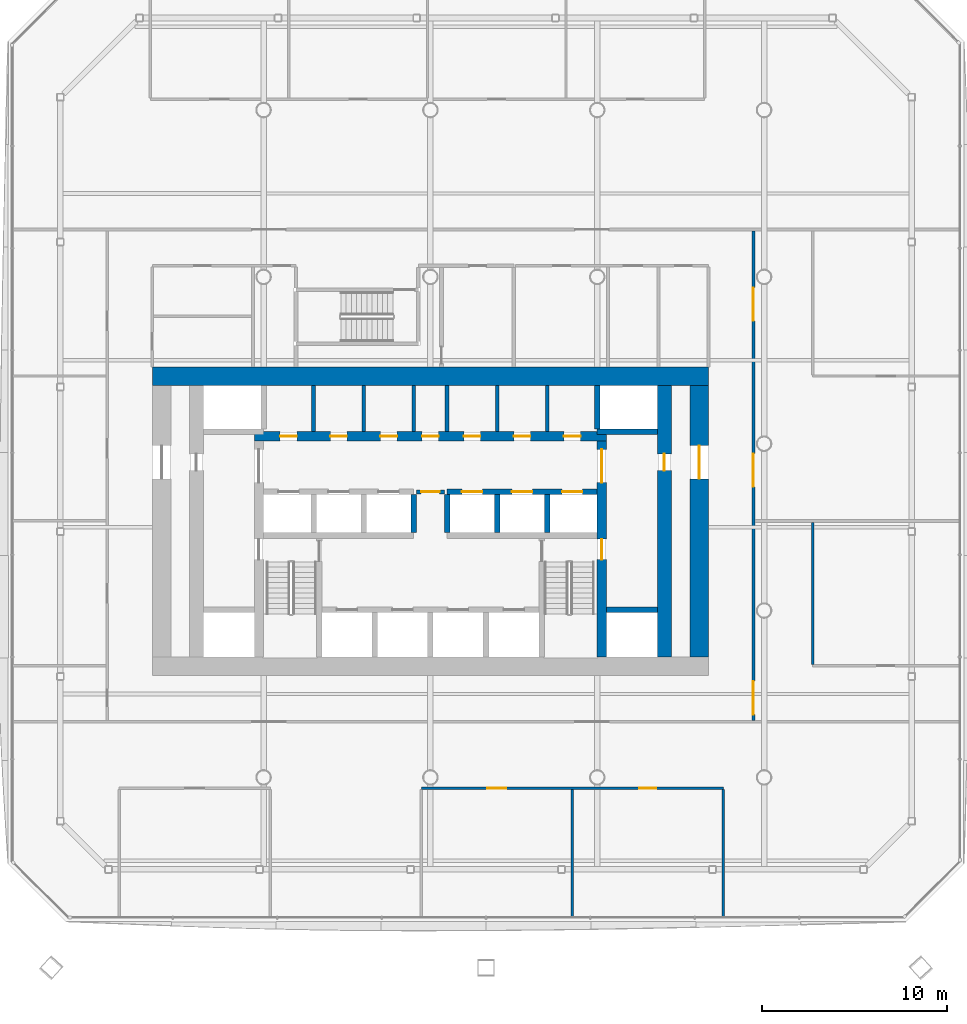
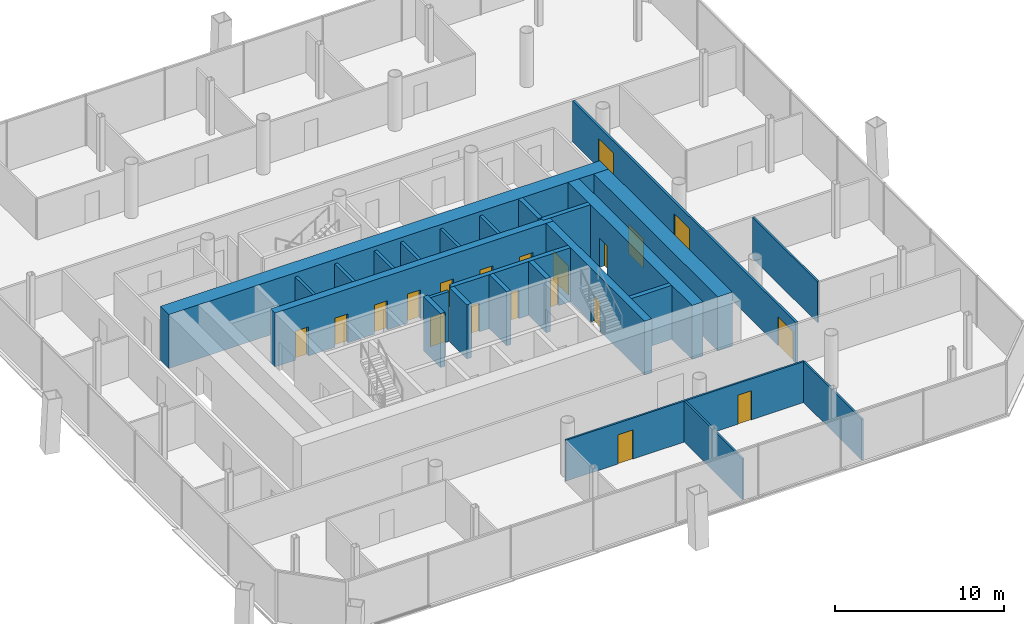
# One storey, part 13 of 20: 25 walls, 20 doors, 20 openings.
"""IFC4 building model written with IfcOpenShell, lengths in metres."""

import ifcopenshell
import ifcopenshell.guid

model = None  # the IFC model being written
_history = None  # IfcOwnerHistory: only IFC2X3 demands one
_inside = {}  # id of a spatial element -> (the spatial element, [elements in it])
_under = {}  # id of a project, library or spatial element -> (it, [spatial elements below it])
_declared = {}  # id of a project -> (the project, [libraries it declares])
_typed = {}  # id of a type object -> (the type object, [elements of that type])
_made_of = {}  # id of a material, layer set ... -> (it, [elements and type objects made of it])


def new_model(schema):
    """Start an empty IFC model of exactly this schema.

    Asked for "IFC4X3", IfcOpenShell would pick the latest addendum, in which some entities
    have other attributes; the version numbers below select the first issue.
    IFC2X3 requires an IfcOwnerHistory on every rooted entity: one is made here for all.
    """
    global model, _history
    if schema == "IFC4X3":
        model = ifcopenshell.file(schema_version=(4, 3, 0, 0))
    else:
        model = ifcopenshell.file(schema=schema)
    _inside.clear()
    _under.clear()
    _declared.clear()
    _typed.clear()
    _made_of.clear()
    _history = None
    if model.schema == "IFC2X3":
        org = make("IfcOrganization", Name="unknown")
        user = make(
            "IfcPersonAndOrganization",
            ThePerson=make("IfcPerson", FamilyName="unknown"),
            TheOrganization=org,
        )
        app = make(
            "IfcApplication",
            ApplicationDeveloper=org,
            Version="unknown",
            ApplicationFullName="unknown",
            ApplicationIdentifier="unknown",
        )
        _history = make(
            "IfcOwnerHistory",
            OwningUser=user,
            OwningApplication=app,
            ChangeAction="ADDED",
            CreationDate=0,
        )
    return model


def make(cls, **values):
    """One entity of the class cls with the attributes given. An attribute that is None is left unset."""
    return model.create_entity(
        cls, **{name: value for name, value in values.items() if value is not None}
    )


def rooted(cls, **values):
    """An entity with a GlobalId (a new one), such as an element, a storey or a relation."""
    return make(cls, GlobalId=ifcopenshell.guid.new(), OwnerHistory=_history, **values)


def si_unit(unit_type, name, prefix=None):
    """IfcSIUnit, for example si_unit("LENGTHUNIT", "METRE", prefix="MILLI")."""
    return make("IfcSIUnit", UnitType=unit_type, Prefix=prefix, Name=name)


def assignment(units):
    """IfcUnitAssignment: the units of a project."""
    return None if units is None else make("IfcUnitAssignment", Units=units)


def point(xyz):
    """IfcCartesianPoint."""
    return None if xyz is None else make("IfcCartesianPoint", Coordinates=xyz)


def direction(xyz):
    """IfcDirection."""
    return None if xyz is None else make("IfcDirection", DirectionRatios=xyz)


def frame(location, z_axis=None, x_axis=None):
    """IfcAxis2Placement3D, a coordinate frame: its origin and axes. An axis left out is left unset."""
    return make(
        "IfcAxis2Placement3D",
        Location=point(location),
        Axis=direction(z_axis),
        RefDirection=direction(x_axis),
    )


def frame_2d(location, x_axis=None):
    """IfcAxis2Placement2D, a coordinate frame in the plane: its origin and x axis."""
    return make(
        "IfcAxis2Placement2D", Location=point(location), RefDirection=direction(x_axis)
    )


def origin():
    """The frame at (0, 0, 0) with its axes left unset."""
    return frame((0.0, 0.0, 0.0))


def place(relative_to, where):
    """IfcLocalPlacement: puts the frame where relative to a parent placement (None: the world)."""
    return make(
        "IfcLocalPlacement", PlacementRelTo=relative_to, RelativePlacement=where
    )


def context(
    kind, dimensions, precision=None, world=None, true_north=None, identifier=None
):
    """IfcGeometricRepresentationContext, for example the 3D "Model" context."""
    return make(
        "IfcGeometricRepresentationContext",
        ContextIdentifier=identifier,
        ContextType=kind,
        CoordinateSpaceDimension=dimensions,
        Precision=precision,
        WorldCoordinateSystem=world,
        TrueNorth=true_north,
    )


def subcontext(parent, identifier, kind, view, scale=None):
    """IfcGeometricRepresentationSubContext, for example "Body" below "Model"."""
    return make(
        "IfcGeometricRepresentationSubContext",
        ContextIdentifier=identifier,
        ContextType=kind,
        ParentContext=parent,
        TargetScale=scale,
        TargetView=view,
    )


def project(units=None, contexts=None):
    """IfcProject with its units and contexts."""
    return rooted(
        "IfcProject",
        Name="project",
        RepresentationContexts=contexts,
        UnitsInContext=assignment(units),
    )


def spatial(cls, under=None, at=None, **own):
    """A site, building, storey or space (cls), placed at a placement, below another one or the project."""
    s = rooted(cls, ObjectPlacement=at, **own)
    if under is not None:
        _under.setdefault(under.id(), (under, []))[1].append(s)
    return s


def profile(cls, at=None, kind="AREA", **sizes):
    """A parametric profile (cls). Its sizes go by their IFC names, for example OverallWidth=200.0."""
    return make(cls, ProfileType=kind, Position=at, **sizes)


def rectangle(**sizes):
    """IfcRectangleProfileDef."""
    return profile("IfcRectangleProfileDef", **sizes)


def extrude(swept, where, along, depth):
    """IfcExtrudedAreaSolid: the profile swept, set in the frame where, extruded along a direction by depth."""
    return make(
        "IfcExtrudedAreaSolid",
        SweptArea=swept,
        Position=where,
        ExtrudedDirection=direction(along),
        Depth=depth,
    )


def shape(context_of_items, identifier, shape_type, items):
    """IfcShapeRepresentation: the items that make up one representation, for example the "Body"."""
    return make(
        "IfcShapeRepresentation",
        ContextOfItems=context_of_items,
        RepresentationIdentifier=identifier,
        RepresentationType=shape_type,
        Items=items,
    )


def material(Name=None, Category=None):
    """IfcMaterial."""
    return make("IfcMaterial", Name=Name, Category=Category)


def layer(
    of_material, thickness, ventilated=None, Name=None, Category=None, Priority=None
):
    """IfcMaterialLayer: one layer of a wall or slab, of a material (None: an air gap)."""
    return make(
        "IfcMaterialLayer",
        Material=of_material,
        LayerThickness=thickness,
        IsVentilated=ventilated,
        Name=Name,
        Category=Category,
        Priority=Priority,
    )


def layer_set(layers, Name=None):
    """IfcMaterialLayerSet."""
    return make("IfcMaterialLayerSet", MaterialLayers=layers, LayerSetName=Name)


def made_of(thing, what):
    """Note that an element or type object is made of a material, layer set ...; save() writes the relation."""
    if what is not None:
        _made_of.setdefault(what.id(), (what, []))[1].append(thing)
    return thing


def type_object(cls, material=None, **own):
    """A type object (cls), such as IfcWallType, which elements share."""
    return made_of(rooted(cls, **own), material)


def element(
    cls,
    number,
    at=None,
    inside=None,
    cuts=None,
    type_object=None,
    material=None,
    context=None,
    identifier="Body",
    shape_type=None,
    held_by="IfcProductDefinitionShape",
    body=None,
    shapes=None,
    **own,
):
    """One element of the class cls, such as IfcWall. Its Tag is "e" and its number.

    at: its placement. inside: the storey or other place that contains it. cuts: it is an
    opening in that element (IfcRelVoidsElement). A single representation is given by context,
    identifier, shape_type and body (its items); several are given by shapes. held_by: the class
    of the entity that holds the representations. save() writes the other relations.
    """
    e = rooted(cls, Tag="e%d" % number, ObjectPlacement=at, **own)
    if body is not None:
        shapes = [shape(context, identifier, shape_type, body)]
    if shapes is not None:
        e.Representation = make(held_by, Representations=shapes)
    if inside is not None:
        _inside.setdefault(inside.id(), (inside, []))[1].append(e)
    if cuts is not None:
        rooted(
            "IfcRelVoidsElement", RelatingBuildingElement=cuts, RelatedOpeningElement=e
        )
    if type_object is not None:
        _typed.setdefault(type_object.id(), (type_object, []))[1].append(e)
    return made_of(e, material)


def fill(opening, filler):
    """IfcRelFillsElement: the door or window that sits in an opening."""
    return rooted(
        "IfcRelFillsElement",
        RelatingOpeningElement=opening,
        RelatedBuildingElement=filler,
    )


def aggregate(whole, parts):
    """IfcRelAggregates: a whole, such as a stair, and the parts it consists of."""
    return rooted("IfcRelAggregates", RelatingObject=whole, RelatedObjects=parts)


def save(model, path):
    """Write the relations noted so far, then the file.

    IfcRelAggregates (storeys below a building ...), IfcRelContainedInSpatialStructure (elements
    in a storey), IfcRelDefinesByType, IfcRelAssociatesMaterial and IfcRelDeclares: one each for
    every whole, place, type object, material and project.
    """
    for whole, parts in _under.values():
        aggregate(whole, parts)
    for where, things in _inside.values():
        rooted(
            "IfcRelContainedInSpatialStructure",
            RelatedElements=things,
            RelatingStructure=where,
        )
    for kind, things in _typed.values():
        rooted("IfcRelDefinesByType", RelatedObjects=things, RelatingType=kind)
    for what, things in _made_of.values():
        rooted("IfcRelAssociatesMaterial", RelatedObjects=things, RelatingMaterial=what)
    for by, libraries in _declared.values():
        rooted("IfcRelDeclares", RelatingContext=by, RelatedDefinitions=libraries)
    model.write(path)


model = new_model("IFC4")

# Units and contexts
model_context = context("Model", 3, precision=1e-05, world=origin(), true_north=direction((0.0, 1.0)))
body_context = subcontext(model_context, "Body", "Model", "MODEL_VIEW")
ifc_project = project(units=[si_unit("LENGTHUNIT", "METRE"), si_unit("AREAUNIT", "SQUARE_METRE"), si_unit("VOLUMEUNIT", "CUBIC_METRE"), si_unit("PLANEANGLEUNIT", "RADIAN"), si_unit("MASSUNIT", "GRAM", prefix="KILO")], contexts=[model_context])

# Site, building, storey
site_placement = place(None, origin())
site = spatial("IfcSite", under=ifc_project, at=site_placement, CompositionType="ELEMENT")
building_placement = place(site_placement, origin())
building = spatial("IfcBuilding", under=site, at=building_placement, Name="Tskaro Facet Tower", CompositionType="ELEMENT")
storey_placement = place(building_placement, frame((0.0, 0.0, 69.89990234375)))
storey = spatial("IfcBuildingStorey", under=building, at=storey_placement, Name="L16", CompositionType="ELEMENT", Elevation=69.89990234375)

# Wall
ifc_material_1 = material(Name="Concrete C60/75", Category="concrete")
ifc_layer_1 = layer(ifc_material_1, 0.300048828125, Name="Concrete C60/75")
ifc_layer_set_1 = layer_set([ifc_layer_1], Name="Concrete C60/75")
wall_type_1 = type_object("IfcWallType", Name="CORE-SHAFT", PredefinedType="SHEAR", material=ifc_layer_set_1)
wall_1_placement = place(storey_placement, frame((9.5, -8.949951171875, 0.0), z_axis=(0.0, 0.0, 1.0), x_axis=(1.0, 0.0, 0.0)))
element("IfcWall", 1, at=wall_1_placement, inside=storey, type_object=wall_type_1, Name="Shaft wall W008", PredefinedType="SHEAR", context=body_context, shape_type="SweptSolid", body=[
    extrude(rectangle(XDim=2.75, YDim=0.300048828125, at=frame_2d((1.375, 0.0))), origin(), (0.0, 0.0, 1.0), 3.900146484375),
])

# Wall, openings, doors
wall_2_placement = place(storey_placement, frame((0.89990234375, -2.60009765625, 0.0), z_axis=(0.0, 0.0, 1.0), x_axis=(1.0, 0.0, 0.0)))
wall_2 = element("IfcWall", 2, at=wall_2_placement, inside=storey, type_object=wall_type_1, Name="Shaft wall W015", PredefinedType="SHEAR", context=body_context, shape_type="SweptSolid", body=[
    extrude(rectangle(XDim=8.10009765625, YDim=0.300048828125, at=frame_2d((4.050048828125, 0.0))), origin(), (0.0, 0.0, 1.0), 3.900146484375),
])
opening_1_placement = place(wall_2_placement, frame((0.800048828125, 0.0, 0.0)))
opening_1 = element("IfcOpeningElement", 3, at=opening_1_placement, cuts=wall_2, Name="Opening LD-LR4", PredefinedType="OPENING", context=body_context, shape_type="SweptSolid", body=[
    extrude(rectangle(XDim=1.10009765625, YDim=2.10009765625, at=frame_2d((0.550048828125, 1.050048828125))), frame((0.0, 0.159912109375, 0.0), z_axis=(0.0, -1.0, 0.0), x_axis=(1.0, 0.0, 0.0)), (0.0, 0.0, 1.0), 0.320068359375),
])
opening_2_placement = place(wall_2_placement, frame((3.5, 0.0, 0.0)))
opening_2 = element("IfcOpeningElement", 4, at=opening_2_placement, cuts=wall_2, Name="Opening LD-LR5", PredefinedType="OPENING", context=body_context, shape_type="SweptSolid", body=[
    extrude(rectangle(XDim=1.10009765625, YDim=2.10009765625, at=frame_2d((0.550048828125, 1.050048828125))), frame((0.0, 0.159912109375, 0.0), z_axis=(0.0, -1.0, 0.0), x_axis=(1.0, 0.0, 0.0)), (0.0, 0.0, 1.0), 0.320068359375),
])
opening_3_placement = place(wall_2_placement, frame((6.199951171875, 0.0, 0.0)))
opening_3 = element("IfcOpeningElement", 5, at=opening_3_placement, cuts=wall_2, Name="Opening LD-LR6", PredefinedType="OPENING", context=body_context, shape_type="SweptSolid", body=[
    extrude(rectangle(XDim=1.10009765625, YDim=2.10009765625, at=frame_2d((0.550048828125, 1.050048828125))), frame((0.0, 0.159912109375, 0.0), z_axis=(0.0, -1.0, 0.0), x_axis=(1.0, 0.0, 0.0)), (0.0, 0.0, 1.0), 0.320068359375),
])
ifc_material_2 = material(Name="Stainless steel", Category="steel")
door_type_1 = type_object("IfcDoorType", Name="D-LANDING", OperationType="NOTDEFINED", PredefinedType="DOOR", material=ifc_material_2)
door_1_placement = place(opening_1_placement, origin())
door_1 = element("IfcDoor", 6, at=door_1_placement, inside=storey, type_object=door_type_1, Name="Landing door LR4", OperationType="DOUBLE_DOOR_SLIDING", OverallHeight=2.10009765625, OverallWidth=1.10009765625, PredefinedType="DOOR", context=body_context, shape_type="SweptSolid", body=[
    extrude(rectangle(XDim=1.10009765625, YDim=2.10009765625, at=frame_2d((0.550048828125, 1.050048828125))), frame((0.0, 0.02490234375, 0.0), z_axis=(0.0, -1.0, 0.0), x_axis=(1.0, 0.0, 0.0)), (0.0, 0.0, 1.0), 0.050048828125),
])
fill(opening_1, door_1)
door_2_placement = place(opening_2_placement, origin())
door_2 = element("IfcDoor", 7, at=door_2_placement, inside=storey, type_object=door_type_1, Name="Landing door LR5", OperationType="DOUBLE_DOOR_SLIDING", OverallHeight=2.10009765625, OverallWidth=1.10009765625, PredefinedType="DOOR", context=body_context, shape_type="SweptSolid", body=[
    extrude(rectangle(XDim=1.10009765625, YDim=2.10009765625, at=frame_2d((0.550048828125, 1.050048828125))), frame((0.0, 0.02490234375, 0.0), z_axis=(0.0, -1.0, 0.0), x_axis=(1.0, 0.0, 0.0)), (0.0, 0.0, 1.0), 0.050048828125),
])
fill(opening_2, door_2)
door_3_placement = place(opening_3_placement, origin())
door_3 = element("IfcDoor", 8, at=door_3_placement, inside=storey, type_object=door_type_1, Name="Landing door LR6", OperationType="DOUBLE_DOOR_SLIDING", OverallHeight=2.10009765625, OverallWidth=1.10009765625, PredefinedType="DOOR", context=body_context, shape_type="SweptSolid", body=[
    extrude(rectangle(XDim=1.10009765625, YDim=2.10009765625, at=frame_2d((0.550048828125, 1.050048828125))), frame((0.0, 0.02490234375, 0.0), z_axis=(0.0, -1.0, 0.0), x_axis=(1.0, 0.0, 0.0)), (0.0, 0.0, 1.0), 0.050048828125),
])
fill(opening_3, door_3)

# Walls
wall_3_placement = place(storey_placement, frame((12.25, 0.64990234375, 0.0), z_axis=(0.0, 0.0, 1.0), x_axis=(-1.0, 0.0, 0.0)))
element("IfcWall", 9, at=wall_3_placement, inside=storey, type_object=wall_type_1, Name="Shaft wall W017", PredefinedType="SHEAR", context=body_context, shape_type="SweptSolid", body=[
    extrude(rectangle(XDim=3.25, YDim=0.300048828125, at=frame_2d((1.625, 0.0))), origin(), (0.0, 0.0, 1.0), 3.900146484375),
])
for number, where, z_axis, x_axis, name in (
    (10, (-0.89990234375, -4.800048828125, 0.0), (0.0, 0.0, 1.0), (0.0, 1.0, 0.0), "Shaft wall W045"),
    (11, (0.89990234375, -4.800048828125, 0.0), (0.0, 0.0, 1.0), (0.0, 1.0, 0.0), "Shaft wall W053"),
    (12, (3.60009765625, -4.800048828125, 0.0), (0.0, 0.0, 1.0), (0.0, 1.0, 0.0), "Shaft wall W056"),
    (13, (6.300048828125, -4.800048828125, 0.0), (0.0, 0.0, 1.0), (0.0, 1.0, 0.0), "Shaft wall W060"),
):
    element("IfcWall", number, at=place(storey_placement, frame(where, z_axis=z_axis, x_axis=x_axis)), inside=storey, type_object=wall_type_1, Name=name, PredefinedType="SHEAR", context=body_context, shape_type="SweptSolid", body=[
        extrude(rectangle(XDim=2.050048828125, YDim=0.300048828125, at=frame_2d((1.02490234375, 0.0))), origin(), (0.0, 0.0, 1.0), 3.900146484375),
    ])
wall_4_placement = place(storey_placement, frame((9.0, 0.800048828125, 0.0), z_axis=(0.0, 0.0, 1.0), x_axis=(0.0, 1.0, 0.0)))
element("IfcWall", 14, at=wall_4_placement, inside=storey, type_object=wall_type_1, Name="Shaft wall W064", PredefinedType="SHEAR", context=body_context, shape_type="SweptSolid", body=[
    extrude(rectangle(XDim=2.349853515625, YDim=0.300048828125, at=frame_2d((1.1748046875, 0.0))), origin(), (0.0, 0.0, 1.0), 3.900146484375),
])

# Wall, opening, door
ifc_material_3 = material(Name="Concrete C20/25", Category="concrete")
ifc_layer_2 = layer(ifc_material_3, 0.199951171875, Name="Concrete C20/25")
ifc_layer_set_2 = layer_set([ifc_layer_2], Name="Concrete C20/25")
wall_type_2 = type_object("IfcWallType", Name="CORE-WALL", PredefinedType="SOLIDWALL", material=ifc_layer_set_2)
wall_5_placement = place(storey_placement, frame((0.75, -2.60009765625, 0.0), z_axis=(0.0, 0.0, 1.0), x_axis=(-1.0, 0.0, 0.0)))
wall_5 = element("IfcWall", 15, at=wall_5_placement, inside=storey, type_object=wall_type_2, Name="Core room wall W014", PredefinedType="SOLIDWALL", context=body_context, shape_type="SweptSolid", body=[
    extrude(rectangle(XDim=1.5, YDim=0.199951171875, at=frame_2d((0.75, 0.0))), origin(), (0.0, 0.0, 1.0), 3.60009765625),
])
opening_4_placement = place(wall_5_placement, frame((0.25, 0.0, 0.0)))
opening_4 = element("IfcOpeningElement", 16, at=opening_4_placement, cuts=wall_5, Name="Opening FL-D1", PredefinedType="OPENING", context=body_context, shape_type="SweptSolid", body=[
    extrude(rectangle(XDim=1.0, YDim=2.10009765625, at=frame_2d((0.5, 1.050048828125))), frame((0.0, 0.10986328125, 0.0), z_axis=(0.0, -1.0, 0.0), x_axis=(1.0, 0.0, 0.0)), (0.0, 0.0, 1.0), 0.219970703125),
])
ifc_material_4 = material(Name="Steel", Category="steel")
door_type_2 = type_object("IfcDoorType", Name="D-LOBBY", OperationType="NOTDEFINED", PredefinedType="DOOR", material=ifc_material_4)
door_4_placement = place(opening_4_placement, origin())
door_4 = element("IfcDoor", 17, at=door_4_placement, inside=storey, type_object=door_type_2, Name="Lobby door FL", OperationType="SINGLE_SWING_RIGHT", OverallHeight=2.10009765625, OverallWidth=1.0, PredefinedType="DOOR", context=body_context, shape_type="SweptSolid", body=[
    extrude(rectangle(XDim=1.0, YDim=2.10009765625, at=frame_2d((0.5, 1.050048828125))), frame((0.0, 0.02490234375, 0.0), z_axis=(0.0, -1.0, 0.0), x_axis=(1.0, 0.0, 0.0)), (0.0, 0.0, 1.0), 0.050048828125),
])
fill(opening_4, door_4)

# Walls
for number, where, z_axis, x_axis, name in (
    (18, (-6.300048828125, 0.64990234375, 0.0), (0.0, 0.0, 1.0), (0.0, 1.0, 0.0), "Core room wall W040"),
    (19, (-3.60009765625, 0.64990234375, 0.0), (0.0, 0.0, 1.0), (0.0, 1.0, 0.0), "Core room wall W043"),
    (20, (-0.89990234375, 0.64990234375, 0.0), (0.0, 0.0, 1.0), (0.0, 1.0, 0.0), "Core room wall W046"),
    (21, (0.89990234375, 0.64990234375, 0.0), (0.0, 0.0, 1.0), (0.0, 1.0, 0.0), "Core room wall W054"),
    (22, (3.60009765625, 0.64990234375, 0.0), (0.0, 0.0, 1.0), (0.0, 1.0, 0.0), "Core room wall W057"),
    (23, (6.300048828125, 0.64990234375, 0.0), (0.0, 0.0, 1.0), (0.0, 1.0, 0.0), "Core room wall W061"),
):
    element("IfcWall", number, at=place(storey_placement, frame(where, z_axis=z_axis, x_axis=x_axis)), inside=storey, type_object=wall_type_2, Name=name, PredefinedType="SOLIDWALL", context=body_context, shape_type="SweptSolid", body=[
        extrude(rectangle(XDim=2.5, YDim=0.199951171875, at=frame_2d((1.25, 0.0))), origin(), (0.0, 0.0, 1.0), 3.60009765625),
    ])
ifc_layer_3 = layer(ifc_material_1, 1.0, Name="Concrete C60/75")
ifc_layer_set_3 = layer_set([ifc_layer_3], Name="Concrete C60/75")
wall_type_3 = type_object("IfcWallType", Name="Core wall 1000", PredefinedType="SHEAR", material=ifc_layer_set_3)
wall_6_placement = place(storey_placement, frame((-15.0, 3.64990234375, 0.0), z_axis=(0.0, 0.0, 1.0), x_axis=(1.0, 0.0, 0.0)))
element("IfcWall", 24, at=wall_6_placement, inside=storey, type_object=wall_type_3, Name="Core wall CW-Z1N", PredefinedType="SHEAR", context=body_context, shape_type="SweptSolid", body=[
    extrude(rectangle(XDim=30.0, YDim=1.0, at=frame_2d((15.0, 0.0))), origin(), (0.0, 0.0, 1.0), 3.900146484375),
])

# Wall, opening, door
wall_7_placement = place(storey_placement, frame((14.5, -11.5, 0.0), z_axis=(0.0, 0.0, 1.0), x_axis=(0.0, 1.0, 0.0)))
wall_7 = element("IfcWall", 25, at=wall_7_placement, inside=storey, type_object=wall_type_3, Name="Core wall CW-Z1E", PredefinedType="SHEAR", context=body_context, shape_type="SweptSolid", body=[
    extrude(rectangle(XDim=14.64990234375, YDim=1.0, at=frame_2d((7.324951171875, 0.0))), origin(), (0.0, 0.0, 1.0), 3.900146484375),
])
opening_5_placement = place(wall_7_placement, frame((9.60009765625, 0.0, 0.0)))
opening_5 = element("IfcOpeningElement", 26, at=opening_5_placement, cuts=wall_7, Name="Opening T4-D18", PredefinedType="OPENING", context=body_context, shape_type="SweptSolid", body=[
    extrude(rectangle(XDim=1.800048828125, YDim=2.10009765625, at=frame_2d((0.89990234375, 1.050048828125))), frame((0.0, 0.510009765625, 0.0), z_axis=(0.0, -1.0, 0.0), x_axis=(1.0, 0.0, 0.0)), (0.0, 0.0, 1.0), 1.02001953125),
])
door_type_3 = type_object("IfcDoorType", Name="D-CORE-PAIR", OperationType="NOTDEFINED", PredefinedType="DOOR", material=ifc_material_4)
door_5_placement = place(opening_5_placement, origin())
door_5 = element("IfcDoor", 27, at=door_5_placement, inside=storey, type_object=door_type_3, Name="Door T4-D18", OperationType="DOUBLE_DOOR_SINGLE_SWING", OverallHeight=2.10009765625, OverallWidth=1.800048828125, PredefinedType="DOOR", context=body_context, shape_type="SweptSolid", body=[
    extrude(rectangle(XDim=1.800048828125, YDim=2.10009765625, at=frame_2d((0.89990234375, 1.050048828125))), frame((0.0, 0.02490234375, 0.0), z_axis=(0.0, -1.0, 0.0), x_axis=(1.0, 0.0, 0.0)), (0.0, 0.0, 1.0), 0.050048828125),
])
fill(opening_5, door_5)

# Wall, openings, doors
ifc_material_5 = material(Name="Concrete C40/50", Category="concrete")
ifc_layer_4 = layer(ifc_material_5, 0.5, Name="Concrete C40/50")
ifc_layer_set_4 = layer_set([ifc_layer_4], Name="Concrete C40/50")
wall_type_4 = type_object("IfcWallType", Name="Core wall 500", PredefinedType="SHEAR", material=ifc_layer_set_4)
wall_8_placement = place(storey_placement, frame((-9.5, 0.39990234375, 0.0), z_axis=(0.0, 0.0, 1.0), x_axis=(1.0, 0.0, 0.0)))
wall_8 = element("IfcWall", 28, at=wall_8_placement, inside=storey, type_object=wall_type_4, Name="Core wall CW-Z3N", PredefinedType="SHEAR", context=body_context, shape_type="SweptSolid", body=[
    extrude(rectangle(XDim=19.0, YDim=0.5, at=frame_2d((9.5, 0.0))), origin(), (0.0, 0.0, 1.0), 3.900146484375),
])
opening_6_placement = place(wall_8_placement, frame((1.39990234375, 0.0, 0.0)))
opening_6 = element("IfcOpeningElement", 29, at=opening_6_placement, cuts=wall_8, Name="Opening T4-D20", PredefinedType="OPENING", context=body_context, shape_type="SweptSolid", body=[
    extrude(rectangle(XDim=0.89990234375, YDim=2.10009765625, at=frame_2d((0.449951171875, 1.050048828125))), frame((0.0, 0.260009765625, 0.0), z_axis=(0.0, -1.0, 0.0), x_axis=(1.0, 0.0, 0.0)), (0.0, 0.0, 1.0), 0.52001953125),
])
opening_7_placement = place(wall_8_placement, frame((4.10009765625, 0.0, 0.0)))
opening_7 = element("IfcOpeningElement", 30, at=opening_7_placement, cuts=wall_8, Name="Opening T4-D21", PredefinedType="OPENING", context=body_context, shape_type="SweptSolid", body=[
    extrude(rectangle(XDim=0.89990234375, YDim=2.10009765625, at=frame_2d((0.449951171875, 1.050048828125))), frame((0.0, 0.260009765625, 0.0), z_axis=(0.0, -1.0, 0.0), x_axis=(1.0, 0.0, 0.0)), (0.0, 0.0, 1.0), 0.52001953125),
])
opening_8_placement = place(wall_8_placement, frame((6.800048828125, 0.0, 0.0)))
opening_8 = element("IfcOpeningElement", 31, at=opening_8_placement, cuts=wall_8, Name="Opening T4-D22", PredefinedType="OPENING", context=body_context, shape_type="SweptSolid", body=[
    extrude(rectangle(XDim=0.89990234375, YDim=2.10009765625, at=frame_2d((0.449951171875, 1.050048828125))), frame((0.0, 0.260009765625, 0.0), z_axis=(0.0, -1.0, 0.0), x_axis=(1.0, 0.0, 0.0)), (0.0, 0.0, 1.0), 0.52001953125),
])
opening_9_placement = place(wall_8_placement, frame((11.300048828125, 0.0, 0.0)))
opening_9 = element("IfcOpeningElement", 32, at=opening_9_placement, cuts=wall_8, Name="Opening T4-D24", PredefinedType="OPENING", context=body_context, shape_type="SweptSolid", body=[
    extrude(rectangle(XDim=0.89990234375, YDim=2.10009765625, at=frame_2d((0.449951171875, 1.050048828125))), frame((0.0, 0.260009765625, 0.0), z_axis=(0.0, -1.0, 0.0), x_axis=(1.0, 0.0, 0.0)), (0.0, 0.0, 1.0), 0.52001953125),
])
opening_10_placement = place(wall_8_placement, frame((14.0, 0.0, 0.0)))
opening_10 = element("IfcOpeningElement", 33, at=opening_10_placement, cuts=wall_8, Name="Opening T4-D25", PredefinedType="OPENING", context=body_context, shape_type="SweptSolid", body=[
    extrude(rectangle(XDim=0.89990234375, YDim=2.10009765625, at=frame_2d((0.449951171875, 1.050048828125))), frame((0.0, 0.260009765625, 0.0), z_axis=(0.0, -1.0, 0.0), x_axis=(1.0, 0.0, 0.0)), (0.0, 0.0, 1.0), 0.52001953125),
])
opening_11_placement = place(wall_8_placement, frame((16.699951171875, 0.0, 0.0)))
opening_11 = element("IfcOpeningElement", 34, at=opening_11_placement, cuts=wall_8, Name="Opening T4-D26", PredefinedType="OPENING", context=body_context, shape_type="SweptSolid", body=[
    extrude(rectangle(XDim=0.89990234375, YDim=2.10009765625, at=frame_2d((0.449951171875, 1.050048828125))), frame((0.0, 0.260009765625, 0.0), z_axis=(0.0, -1.0, 0.0), x_axis=(1.0, 0.0, 0.0)), (0.0, 0.0, 1.0), 0.52001953125),
])
opening_12_placement = place(wall_8_placement, frame((9.050048828125, 0.0, 0.0)))
opening_12 = element("IfcOpeningElement", 35, at=opening_12_placement, cuts=wall_8, Name="Opening T4-D23", PredefinedType="OPENING", context=body_context, shape_type="SweptSolid", body=[
    extrude(rectangle(XDim=0.89990234375, YDim=2.10009765625, at=frame_2d((0.449951171875, 1.050048828125))), frame((0.0, 0.260009765625, 0.0), z_axis=(0.0, -1.0, 0.0), x_axis=(1.0, 0.0, 0.0)), (0.0, 0.0, 1.0), 0.52001953125),
])
door_type_4 = type_object("IfcDoorType", Name="D-RISER", OperationType="NOTDEFINED", PredefinedType="DOOR", material=ifc_material_4)
door_6_placement = place(opening_12_placement, origin())
door_6 = element("IfcDoor", 36, at=door_6_placement, inside=storey, type_object=door_type_4, Name="Door T4-D23", OperationType="SINGLE_SWING_LEFT", OverallHeight=2.10009765625, OverallWidth=0.89990234375, PredefinedType="DOOR", context=body_context, shape_type="SweptSolid", body=[
    extrude(rectangle(XDim=0.89990234375, YDim=2.10009765625, at=frame_2d((0.449951171875, 1.050048828125))), frame((0.0, 0.02490234375, 0.0), z_axis=(0.0, -1.0, 0.0), x_axis=(1.0, 0.0, 0.0)), (0.0, 0.0, 1.0), 0.050048828125),
])
fill(opening_12, door_6)
ifc_material_6 = material(Name="Timber", Category="wood")
door_type_5 = type_object("IfcDoorType", Name="D-ROOM", OperationType="NOTDEFINED", PredefinedType="DOOR", material=ifc_material_6)
door_7_placement = place(opening_6_placement, origin())
door_7 = element("IfcDoor", 37, at=door_7_placement, inside=storey, type_object=door_type_5, Name="Door T4-D20", OperationType="SINGLE_SWING_LEFT", OverallHeight=2.10009765625, OverallWidth=0.89990234375, PredefinedType="DOOR", context=body_context, shape_type="SweptSolid", body=[
    extrude(rectangle(XDim=0.89990234375, YDim=2.10009765625, at=frame_2d((0.449951171875, 1.050048828125))), frame((0.0, 0.02490234375, 0.0), z_axis=(0.0, -1.0, 0.0), x_axis=(1.0, 0.0, 0.0)), (0.0, 0.0, 1.0), 0.050048828125),
])
fill(opening_6, door_7)
door_8_placement = place(opening_7_placement, origin())
door_8 = element("IfcDoor", 38, at=door_8_placement, inside=storey, type_object=door_type_5, Name="Door T4-D21", OperationType="SINGLE_SWING_LEFT", OverallHeight=2.10009765625, OverallWidth=0.89990234375, PredefinedType="DOOR", context=body_context, shape_type="SweptSolid", body=[
    extrude(rectangle(XDim=0.89990234375, YDim=2.10009765625, at=frame_2d((0.449951171875, 1.050048828125))), frame((0.0, 0.02490234375, 0.0), z_axis=(0.0, -1.0, 0.0), x_axis=(1.0, 0.0, 0.0)), (0.0, 0.0, 1.0), 0.050048828125),
])
fill(opening_7, door_8)
door_9_placement = place(opening_8_placement, origin())
door_9 = element("IfcDoor", 39, at=door_9_placement, inside=storey, type_object=door_type_5, Name="Door T4-D22", OperationType="SINGLE_SWING_LEFT", OverallHeight=2.10009765625, OverallWidth=0.89990234375, PredefinedType="DOOR", context=body_context, shape_type="SweptSolid", body=[
    extrude(rectangle(XDim=0.89990234375, YDim=2.10009765625, at=frame_2d((0.449951171875, 1.050048828125))), frame((0.0, 0.02490234375, 0.0), z_axis=(0.0, -1.0, 0.0), x_axis=(1.0, 0.0, 0.0)), (0.0, 0.0, 1.0), 0.050048828125),
])
fill(opening_8, door_9)
door_10_placement = place(opening_9_placement, origin())
door_10 = element("IfcDoor", 40, at=door_10_placement, inside=storey, type_object=door_type_5, Name="Door T4-D24", OperationType="SINGLE_SWING_LEFT", OverallHeight=2.10009765625, OverallWidth=0.89990234375, PredefinedType="DOOR", context=body_context, shape_type="SweptSolid", body=[
    extrude(rectangle(XDim=0.89990234375, YDim=2.10009765625, at=frame_2d((0.449951171875, 1.050048828125))), frame((0.0, 0.02490234375, 0.0), z_axis=(0.0, -1.0, 0.0), x_axis=(1.0, 0.0, 0.0)), (0.0, 0.0, 1.0), 0.050048828125),
])
fill(opening_9, door_10)
door_11_placement = place(opening_10_placement, origin())
door_11 = element("IfcDoor", 41, at=door_11_placement, inside=storey, type_object=door_type_5, Name="Door T4-D25", OperationType="SINGLE_SWING_LEFT", OverallHeight=2.10009765625, OverallWidth=0.89990234375, PredefinedType="DOOR", context=body_context, shape_type="SweptSolid", body=[
    extrude(rectangle(XDim=0.89990234375, YDim=2.10009765625, at=frame_2d((0.449951171875, 1.050048828125))), frame((0.0, 0.02490234375, 0.0), z_axis=(0.0, -1.0, 0.0), x_axis=(1.0, 0.0, 0.0)), (0.0, 0.0, 1.0), 0.050048828125),
])
fill(opening_10, door_11)
door_12_placement = place(opening_11_placement, origin())
door_12 = element("IfcDoor", 42, at=door_12_placement, inside=storey, type_object=door_type_5, Name="Door T4-D26", OperationType="SINGLE_SWING_LEFT", OverallHeight=2.10009765625, OverallWidth=0.89990234375, PredefinedType="DOOR", context=body_context, shape_type="SweptSolid", body=[
    extrude(rectangle(XDim=0.89990234375, YDim=2.10009765625, at=frame_2d((0.449951171875, 1.050048828125))), frame((0.0, 0.02490234375, 0.0), z_axis=(0.0, -1.0, 0.0), x_axis=(1.0, 0.0, 0.0)), (0.0, 0.0, 1.0), 0.050048828125),
])
fill(opening_11, door_12)

wall_9_placement = place(storey_placement, frame((9.25, -11.5, 0.0), z_axis=(0.0, 0.0, 1.0), x_axis=(0.0, 1.0, 0.0)))
wall_9 = element("IfcWall", 43, at=wall_9_placement, inside=storey, type_object=wall_type_4, Name="Core wall CW-Z3E", PredefinedType="SHEAR", context=body_context, shape_type="SweptSolid", body=[
    extrude(rectangle(XDim=11.64990234375, YDim=0.5, at=frame_2d((5.824951171875, 0.0))), origin(), (0.0, 0.0, 1.0), 3.900146484375),
])
opening_13_placement = place(wall_9_placement, frame((9.39990234375, 0.0, 0.0)))
opening_13 = element("IfcOpeningElement", 44, at=opening_13_placement, cuts=wall_9, Name="Opening T4-D14", PredefinedType="OPENING", context=body_context, shape_type="SweptSolid", body=[
    extrude(rectangle(XDim=1.800048828125, YDim=2.10009765625, at=frame_2d((0.89990234375, 1.050048828125))), frame((0.0, 0.260009765625, 0.0), z_axis=(0.0, -1.0, 0.0), x_axis=(1.0, 0.0, 0.0)), (0.0, 0.0, 1.0), 0.52001953125),
])
opening_14_placement = place(wall_9_placement, frame((5.25, 0.0, 0.0)))
opening_14 = element("IfcOpeningElement", 45, at=opening_14_placement, cuts=wall_9, Name="Opening ST-2-D2", PredefinedType="OPENING", context=body_context, shape_type="SweptSolid", body=[
    extrude(rectangle(XDim=1.10009765625, YDim=2.10009765625, at=frame_2d((0.550048828125, 1.050048828125))), frame((0.0, 0.260009765625, 0.0), z_axis=(0.0, -1.0, 0.0), x_axis=(1.0, 0.0, 0.0)), (0.0, 0.0, 1.0), 0.52001953125),
])
door_13_placement = place(opening_13_placement, origin())
door_13 = element("IfcDoor", 46, at=door_13_placement, inside=storey, type_object=door_type_3, Name="Door T4-D14", OperationType="DOUBLE_DOOR_SINGLE_SWING", OverallHeight=2.10009765625, OverallWidth=1.800048828125, PredefinedType="DOOR", context=body_context, shape_type="SweptSolid", body=[
    extrude(rectangle(XDim=1.800048828125, YDim=2.10009765625, at=frame_2d((0.89990234375, 1.050048828125))), frame((0.0, 0.02490234375, 0.0), z_axis=(0.0, -1.0, 0.0), x_axis=(1.0, 0.0, 0.0)), (0.0, 0.0, 1.0), 0.050048828125),
])
fill(opening_13, door_13)
door_type_6 = type_object("IfcDoorType", Name="D-STAIR", OperationType="NOTDEFINED", PredefinedType="DOOR", material=ifc_material_4)
door_14_placement = place(opening_14_placement, origin())
door_14 = element("IfcDoor", 47, at=door_14_placement, inside=storey, type_object=door_type_6, Name="Stair door 2 east", OperationType="SINGLE_SWING_LEFT", OverallHeight=2.10009765625, OverallWidth=1.10009765625, PredefinedType="DOOR", context=body_context, shape_type="SweptSolid", body=[
    extrude(rectangle(XDim=1.10009765625, YDim=2.10009765625, at=frame_2d((0.550048828125, 1.050048828125))), frame((0.0, 0.02490234375, 0.0), z_axis=(0.0, -1.0, 0.0), x_axis=(1.0, 0.0, 0.0)), (0.0, 0.0, 1.0), 0.050048828125),
])
fill(opening_14, door_14)

# Wall, opening, door
ifc_material_7 = material(Name="Concrete C50/60", Category="concrete")
ifc_layer_5 = layer(ifc_material_7, 0.75, Name="Concrete C50/60")
ifc_layer_set_5 = layer_set([ifc_layer_5], Name="Concrete C50/60")
wall_type_5 = type_object("IfcWallType", Name="Core wall 750", PredefinedType="SHEAR", material=ifc_layer_set_5)
wall_10_placement = place(storey_placement, frame((12.625, -11.5, 0.0), z_axis=(0.0, 0.0, 1.0), x_axis=(0.0, 1.0, 0.0)))
wall_10 = element("IfcWall", 48, at=wall_10_placement, inside=storey, type_object=wall_type_5, Name="Core wall CW-Z2E", PredefinedType="SHEAR", context=body_context, shape_type="SweptSolid", body=[
    extrude(rectangle(XDim=14.64990234375, YDim=0.75, at=frame_2d((7.324951171875, 0.0))), origin(), (0.0, 0.0, 1.0), 3.900146484375),
])
opening_15_placement = place(wall_10_placement, frame((10.050048828125, 0.0, 0.0)))
opening_15 = element("IfcOpeningElement", 49, at=opening_15_placement, cuts=wall_10, Name="Opening T4-D17", PredefinedType="OPENING", context=body_context, shape_type="SweptSolid", body=[
    extrude(rectangle(XDim=0.89990234375, YDim=2.10009765625, at=frame_2d((0.449951171875, 1.050048828125))), frame((0.0, 0.385009765625, 0.0), z_axis=(0.0, -1.0, 0.0), x_axis=(1.0, 0.0, 0.0)), (0.0, 0.0, 1.0), 0.77001953125),
])
door_15_placement = place(opening_15_placement, origin())
door_15 = element("IfcDoor", 50, at=door_15_placement, inside=storey, type_object=door_type_5, Name="Door T4-D17", OperationType="SINGLE_SWING_LEFT", OverallHeight=2.10009765625, OverallWidth=0.89990234375, PredefinedType="DOOR", context=body_context, shape_type="SweptSolid", body=[
    extrude(rectangle(XDim=0.89990234375, YDim=2.10009765625, at=frame_2d((0.449951171875, 1.050048828125))), frame((0.0, 0.02490234375, 0.0), z_axis=(0.0, -1.0, 0.0), x_axis=(1.0, 0.0, 0.0)), (0.0, 0.0, 1.0), 0.050048828125),
])
fill(opening_15, door_15)

# Wall, openings, doors
ifc_material_8 = material(Name="Gypsum board on steel studs", Category="steel")
ifc_layer_6 = layer(ifc_material_8, 0.125, Name="Gypsum board on steel studs")
ifc_layer_set_6 = layer_set([ifc_layer_6], Name="Gypsum board on steel studs")
wall_type_6 = type_object("IfcWallType", Name="PART", PredefinedType="PARTITIONING", material=ifc_layer_set_6)
wall_11_placement = place(storey_placement, frame((15.798095703125, -18.580078125, 0.0), z_axis=(0.0, 0.0, 1.0), x_axis=(-1.0, 0.0, 0.0)))
wall_11 = element("IfcWall", 51, at=wall_11_placement, inside=storey, type_object=wall_type_6, Name="Partition W002", PredefinedType="PARTITIONING", context=body_context, shape_type="SweptSolid", body=[
    extrude(rectangle(XDim=16.291015625, YDim=0.125, at=frame_2d((8.1455078125, 0.0))), origin(), (0.0, 0.0, 1.0), 2.960205078125),
])
opening_16_placement = place(wall_11_placement, frame((11.718017578125, 0.0, 0.0)))
opening_16 = element("IfcOpeningElement", 52, at=opening_16_placement, cuts=wall_11, Name="Opening T4-D02", PredefinedType="OPENING", context=body_context, shape_type="SweptSolid", body=[
    extrude(rectangle(XDim=1.0, YDim=2.10009765625, at=frame_2d((0.5, 1.050048828125))), frame((0.0, 0.072509765625, 0.0), z_axis=(0.0, -1.0, 0.0), x_axis=(1.0, 0.0, 0.0)), (0.0, 0.0, 1.0), 0.14501953125),
])
opening_17_placement = place(wall_11_placement, frame((3.62255859375, 0.0, 0.0)))
opening_17 = element("IfcOpeningElement", 53, at=opening_17_placement, cuts=wall_11, Name="Opening T4-D03", PredefinedType="OPENING", context=body_context, shape_type="SweptSolid", body=[
    extrude(rectangle(XDim=0.89990234375, YDim=2.10009765625, at=frame_2d((0.449951171875, 1.050048828125))), frame((0.0, 0.072509765625, 0.0), z_axis=(0.0, -1.0, 0.0), x_axis=(1.0, 0.0, 0.0)), (0.0, 0.0, 1.0), 0.14501953125),
])
door_16_placement = place(opening_17_placement, origin())
door_16 = element("IfcDoor", 54, at=door_16_placement, inside=storey, type_object=door_type_5, Name="Door T4-D03", OperationType="SINGLE_SWING_RIGHT", OverallHeight=2.10009765625, OverallWidth=0.89990234375, PredefinedType="DOOR", context=body_context, shape_type="SweptSolid", body=[
    extrude(rectangle(XDim=0.89990234375, YDim=2.10009765625, at=frame_2d((0.449951171875, 1.050048828125))), frame((0.0, 0.02490234375, 0.0), z_axis=(0.0, -1.0, 0.0), x_axis=(1.0, 0.0, 0.0)), (0.0, 0.0, 1.0), 0.050048828125),
])
fill(opening_17, door_16)
door_type_7 = type_object("IfcDoorType", Name="D-ROOM-WIDE", OperationType="NOTDEFINED", PredefinedType="DOOR", material=ifc_material_6)
door_17_placement = place(opening_16_placement, origin())
door_17 = element("IfcDoor", 55, at=door_17_placement, inside=storey, type_object=door_type_7, Name="Door T4-D02", OperationType="SINGLE_SWING_RIGHT", OverallHeight=2.10009765625, OverallWidth=1.0, PredefinedType="DOOR", context=body_context, shape_type="SweptSolid", body=[
    extrude(rectangle(XDim=1.0, YDim=2.10009765625, at=frame_2d((0.5, 1.050048828125))), frame((0.0, 0.02490234375, 0.0), z_axis=(0.0, -1.0, 0.0), x_axis=(1.0, 0.0, 0.0)), (0.0, 0.0, 1.0), 0.050048828125),
])
fill(opening_16, door_17)

# Walls
for number, where, z_axis, x_axis, name in (
    (56, (7.653076171875, -25.509033203125, 0.0), (0.0, 0.0, 1.0), (0.0, 1.0, 0.0), "Partition W063"),
    (57, (15.798095703125, -25.509033203125, 0.0), (0.0, 0.0, 1.0), (0.0, 1.0, 0.0), "Partition W069"),
):
    element("IfcWall", number, at=place(storey_placement, frame(where, z_axis=z_axis, x_axis=x_axis)), inside=storey, type_object=wall_type_6, Name=name, PredefinedType="PARTITIONING", context=body_context, shape_type="SweptSolid", body=[
        extrude(rectangle(XDim=6.866455078125, YDim=0.125, at=frame_2d((3.43310546875, 0.0))), origin(), (0.0, 0.0, 1.0), 2.960205078125),
    ])
wall_12_placement = place(storey_placement, frame((20.625, -11.910400390625, 0.0), z_axis=(0.0, 0.0, 1.0), x_axis=(0.0, 1.0, 0.0)))
element("IfcWall", 58, at=wall_12_placement, inside=storey, type_object=wall_type_6, Name="Partition W071", PredefinedType="PARTITIONING", context=body_context, shape_type="SweptSolid", body=[
    extrude(rectangle(XDim=7.67333984375, YDim=0.125, at=frame_2d((3.836669921875, 0.0))), origin(), (0.0, 0.0, 1.0), 2.960205078125),
])

# Wall, openings, doors
ifc_layer_7 = layer(ifc_material_8, 0.14990234375, Name="Gypsum board on steel studs")
ifc_layer_set_7 = layer_set([ifc_layer_7], Name="Gypsum board on steel studs")
wall_type_7 = type_object("IfcWallType", Name="PART-CORR", PredefinedType="PARTITIONING", material=ifc_layer_set_7)
wall_13_placement = place(storey_placement, frame((17.425048828125, -14.925048828125, 0.0), z_axis=(0.0, 0.0, 1.0), x_axis=(0.0, 1.0, 0.0)))
wall_13 = element("IfcWall", 59, at=wall_13_placement, inside=storey, type_object=wall_type_7, Name="Corridor wall W070", PredefinedType="PARTITIONING", context=body_context, shape_type="SweptSolid", body=[
    extrude(rectangle(XDim=26.405029296875, YDim=0.14990234375, at=frame_2d((13.20263671875, 0.0))), origin(), (0.0, 0.0, 1.0), 2.960205078125),
])
opening_18_placement = place(wall_13_placement, frame((0.3125, 0.0, 0.0)))
opening_18 = element("IfcOpeningElement", 60, at=opening_18_placement, cuts=wall_13, Name="Opening T4-D07", PredefinedType="OPENING", context=body_context, shape_type="SweptSolid", body=[
    extrude(rectangle(XDim=1.800048828125, YDim=2.10009765625, at=frame_2d((0.89990234375, 1.050048828125))), frame((0.0, 0.0849609375, 0.0), z_axis=(0.0, -1.0, 0.0), x_axis=(1.0, 0.0, 0.0)), (0.0, 0.0, 1.0), 0.169921875),
])
opening_19_placement = place(wall_13_placement, frame((12.592041015625, 0.0, 0.0)))
opening_19 = element("IfcOpeningElement", 61, at=opening_19_placement, cuts=wall_13, Name="Opening T4-D12", PredefinedType="OPENING", context=body_context, shape_type="SweptSolid", body=[
    extrude(rectangle(XDim=1.800048828125, YDim=2.10009765625, at=frame_2d((0.89990234375, 1.050048828125))), frame((0.0, 0.0849609375, 0.0), z_axis=(0.0, -1.0, 0.0), x_axis=(1.0, 0.0, 0.0)), (0.0, 0.0, 1.0), 0.169921875),
])
opening_20_placement = place(wall_13_placement, frame((21.551025390625, 0.0, 0.0)))
opening_20 = element("IfcOpeningElement", 62, at=opening_20_placement, cuts=wall_13, Name="Opening T4-D33", PredefinedType="OPENING", context=body_context, shape_type="SweptSolid", body=[
    extrude(rectangle(XDim=1.800048828125, YDim=2.10009765625, at=frame_2d((0.89990234375, 1.050048828125))), frame((0.0, 0.0849609375, 0.0), z_axis=(0.0, -1.0, 0.0), x_axis=(1.0, 0.0, 0.0)), (0.0, 0.0, 1.0), 0.169921875),
])
ifc_material_9 = material(Name="Glass", Category="glass")
door_type_8 = type_object("IfcDoorType", Name="D-ENTRY-PAIR", OperationType="NOTDEFINED", PredefinedType="DOOR", material=ifc_material_9)
door_18_placement = place(opening_18_placement, origin())
door_18 = element("IfcDoor", 63, at=door_18_placement, inside=storey, type_object=door_type_8, Name="Door T4-D07", OperationType="DOUBLE_DOOR_SINGLE_SWING", OverallHeight=2.10009765625, OverallWidth=1.800048828125, PredefinedType="DOOR", context=body_context, shape_type="SweptSolid", body=[
    extrude(rectangle(XDim=1.800048828125, YDim=2.10009765625, at=frame_2d((0.89990234375, 1.050048828125))), frame((0.0, 0.02490234375, 0.0), z_axis=(0.0, -1.0, 0.0), x_axis=(1.0, 0.0, 0.0)), (0.0, 0.0, 1.0), 0.050048828125),
])
fill(opening_18, door_18)
door_19_placement = place(opening_19_placement, origin())
door_19 = element("IfcDoor", 64, at=door_19_placement, inside=storey, type_object=door_type_8, Name="Door T4-D12", OperationType="DOUBLE_DOOR_SINGLE_SWING", OverallHeight=2.10009765625, OverallWidth=1.800048828125, PredefinedType="DOOR", context=body_context, shape_type="SweptSolid", body=[
    extrude(rectangle(XDim=1.800048828125, YDim=2.10009765625, at=frame_2d((0.89990234375, 1.050048828125))), frame((0.0, 0.02490234375, 0.0), z_axis=(0.0, -1.0, 0.0), x_axis=(1.0, 0.0, 0.0)), (0.0, 0.0, 1.0), 0.050048828125),
])
fill(opening_19, door_19)
door_20_placement = place(opening_20_placement, origin())
door_20 = element("IfcDoor", 65, at=door_20_placement, inside=storey, type_object=door_type_8, Name="Door T4-D33", OperationType="DOUBLE_DOOR_SINGLE_SWING", OverallHeight=2.10009765625, OverallWidth=1.800048828125, PredefinedType="DOOR", context=body_context, shape_type="SweptSolid", body=[
    extrude(rectangle(XDim=1.800048828125, YDim=2.10009765625, at=frame_2d((0.89990234375, 1.050048828125))), frame((0.0, 0.02490234375, 0.0), z_axis=(0.0, -1.0, 0.0), x_axis=(1.0, 0.0, 0.0)), (0.0, 0.0, 1.0), 0.050048828125),
])
fill(opening_20, door_20)

save(model, "model.ifc")
